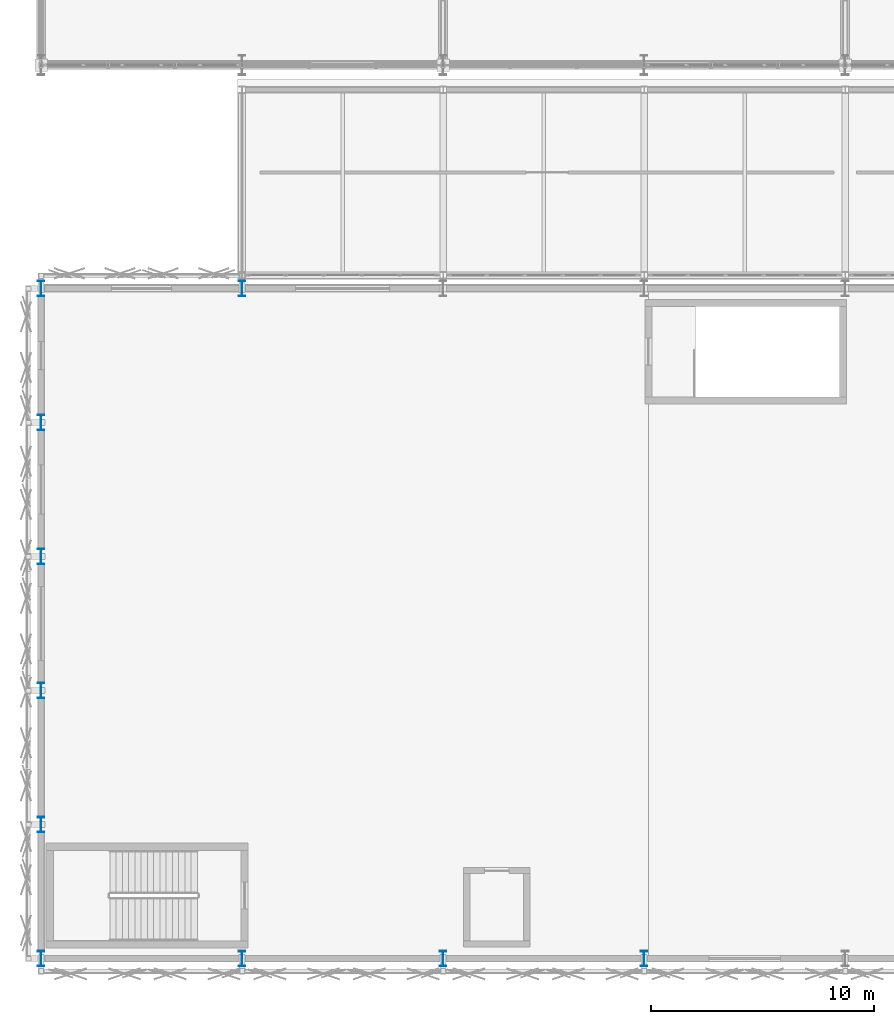
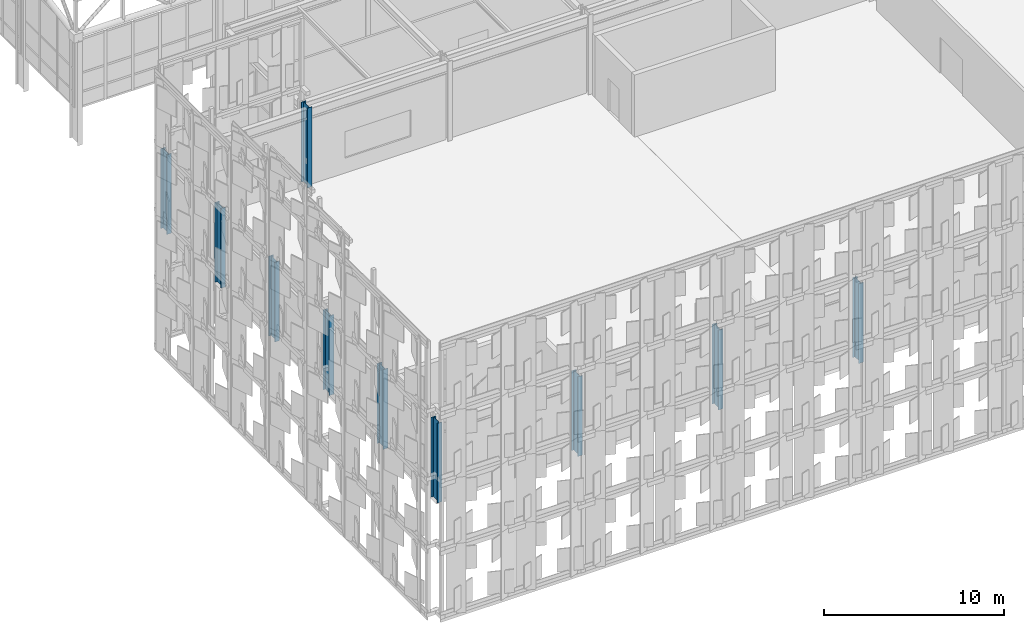
# One storey, part 1 of 239: 10 columns.
"""IFC4 building model written with IfcOpenShell, lengths in metres."""

import ifcopenshell
import ifcopenshell.guid

model = None  # the IFC model being written
_history = None  # IfcOwnerHistory: only IFC2X3 demands one
_inside = {}  # id of a spatial element -> (the spatial element, [elements in it])
_under = {}  # id of a project, library or spatial element -> (it, [spatial elements below it])
_declared = {}  # id of a project -> (the project, [libraries it declares])
_typed = {}  # id of a type object -> (the type object, [elements of that type])
_made_of = {}  # id of a material, layer set ... -> (it, [elements and type objects made of it])


def new_model(schema):
    """Start an empty IFC model of exactly this schema.

    Asked for "IFC4X3", IfcOpenShell would pick the latest addendum, in which some entities
    have other attributes; the version numbers below select the first issue.
    IFC2X3 requires an IfcOwnerHistory on every rooted entity: one is made here for all.
    """
    global model, _history
    if schema == "IFC4X3":
        model = ifcopenshell.file(schema_version=(4, 3, 0, 0))
    else:
        model = ifcopenshell.file(schema=schema)
    _inside.clear()
    _under.clear()
    _declared.clear()
    _typed.clear()
    _made_of.clear()
    _history = None
    if model.schema == "IFC2X3":
        org = make("IfcOrganization", Name="unknown")
        user = make(
            "IfcPersonAndOrganization",
            ThePerson=make("IfcPerson", FamilyName="unknown"),
            TheOrganization=org,
        )
        app = make(
            "IfcApplication",
            ApplicationDeveloper=org,
            Version="unknown",
            ApplicationFullName="unknown",
            ApplicationIdentifier="unknown",
        )
        _history = make(
            "IfcOwnerHistory",
            OwningUser=user,
            OwningApplication=app,
            ChangeAction="ADDED",
            CreationDate=0,
        )
    return model


def make(cls, **values):
    """One entity of the class cls with the attributes given. An attribute that is None is left unset."""
    return model.create_entity(
        cls, **{name: value for name, value in values.items() if value is not None}
    )


def rooted(cls, **values):
    """An entity with a GlobalId (a new one), such as an element, a storey or a relation."""
    return make(cls, GlobalId=ifcopenshell.guid.new(), OwnerHistory=_history, **values)


def si_unit(unit_type, name, prefix=None):
    """IfcSIUnit, for example si_unit("LENGTHUNIT", "METRE", prefix="MILLI")."""
    return make("IfcSIUnit", UnitType=unit_type, Prefix=prefix, Name=name)


def assignment(units):
    """IfcUnitAssignment: the units of a project."""
    return None if units is None else make("IfcUnitAssignment", Units=units)


def point(xyz):
    """IfcCartesianPoint."""
    return None if xyz is None else make("IfcCartesianPoint", Coordinates=xyz)


def direction(xyz):
    """IfcDirection."""
    return None if xyz is None else make("IfcDirection", DirectionRatios=xyz)


def frame(location, z_axis=None, x_axis=None):
    """IfcAxis2Placement3D, a coordinate frame: its origin and axes. An axis left out is left unset."""
    return make(
        "IfcAxis2Placement3D",
        Location=point(location),
        Axis=direction(z_axis),
        RefDirection=direction(x_axis),
    )


def frame_2d(location, x_axis=None):
    """IfcAxis2Placement2D, a coordinate frame in the plane: its origin and x axis."""
    return make(
        "IfcAxis2Placement2D", Location=point(location), RefDirection=direction(x_axis)
    )


def origin():
    """The frame at (0, 0, 0) with its axes left unset."""
    return frame((0.0, 0.0, 0.0))


def origin_2d():
    """The frame at (0, 0) in the plane with its x axis left unset."""
    return frame_2d((0.0, 0.0))


def place(relative_to, where):
    """IfcLocalPlacement: puts the frame where relative to a parent placement (None: the world)."""
    return make(
        "IfcLocalPlacement", PlacementRelTo=relative_to, RelativePlacement=where
    )


def context(
    kind, dimensions, precision=None, world=None, true_north=None, identifier=None
):
    """IfcGeometricRepresentationContext, for example the 3D "Model" context."""
    return make(
        "IfcGeometricRepresentationContext",
        ContextIdentifier=identifier,
        ContextType=kind,
        CoordinateSpaceDimension=dimensions,
        Precision=precision,
        WorldCoordinateSystem=world,
        TrueNorth=true_north,
    )


def subcontext(parent, identifier, kind, view, scale=None):
    """IfcGeometricRepresentationSubContext, for example "Body" below "Model"."""
    return make(
        "IfcGeometricRepresentationSubContext",
        ContextIdentifier=identifier,
        ContextType=kind,
        ParentContext=parent,
        TargetScale=scale,
        TargetView=view,
    )


def project(units=None, contexts=None):
    """IfcProject with its units and contexts."""
    return rooted(
        "IfcProject",
        Name="project",
        RepresentationContexts=contexts,
        UnitsInContext=assignment(units),
    )


def spatial(cls, under=None, at=None, **own):
    """A site, building, storey or space (cls), placed at a placement, below another one or the project."""
    s = rooted(cls, ObjectPlacement=at, **own)
    if under is not None:
        _under.setdefault(under.id(), (under, []))[1].append(s)
    return s


def profile(cls, at=None, kind="AREA", **sizes):
    """A parametric profile (cls). Its sizes go by their IFC names, for example OverallWidth=200.0."""
    return make(cls, ProfileType=kind, Position=at, **sizes)


def i_section(**sizes):
    """IfcIShapeProfileDef."""
    return profile("IfcIShapeProfileDef", **sizes)


def extrude(swept, where, along, depth):
    """IfcExtrudedAreaSolid: the profile swept, set in the frame where, extruded along a direction by depth."""
    return make(
        "IfcExtrudedAreaSolid",
        SweptArea=swept,
        Position=where,
        ExtrudedDirection=direction(along),
        Depth=depth,
    )


def shape(context_of_items, identifier, shape_type, items):
    """IfcShapeRepresentation: the items that make up one representation, for example the "Body"."""
    return make(
        "IfcShapeRepresentation",
        ContextOfItems=context_of_items,
        RepresentationIdentifier=identifier,
        RepresentationType=shape_type,
        Items=items,
    )


def material(Name=None, Category=None):
    """IfcMaterial."""
    return make("IfcMaterial", Name=Name, Category=Category)


def material_profile(
    of_material, cross_section, Name=None, Category=None, Priority=None
):
    """IfcMaterialProfile: a cross section and its material."""
    return make(
        "IfcMaterialProfile",
        Name=Name,
        Material=of_material,
        Profile=cross_section,
        Priority=Priority,
        Category=Category,
    )


def profile_set(profiles, Name=None, composite=None):
    """IfcMaterialProfileSet."""
    return make(
        "IfcMaterialProfileSet",
        Name=Name,
        MaterialProfiles=profiles,
        CompositeProfile=composite,
    )


def made_of(thing, what):
    """Note that an element or type object is made of a material, layer set ...; save() writes the relation."""
    if what is not None:
        _made_of.setdefault(what.id(), (what, []))[1].append(thing)
    return thing


def type_object(cls, material=None, **own):
    """A type object (cls), such as IfcWallType, which elements share."""
    return made_of(rooted(cls, **own), material)


def element(
    cls,
    number,
    at=None,
    inside=None,
    cuts=None,
    type_object=None,
    material=None,
    context=None,
    identifier="Body",
    shape_type=None,
    held_by="IfcProductDefinitionShape",
    body=None,
    shapes=None,
    **own,
):
    """One element of the class cls, such as IfcWall. Its Tag is "e" and its number.

    at: its placement. inside: the storey or other place that contains it. cuts: it is an
    opening in that element (IfcRelVoidsElement). A single representation is given by context,
    identifier, shape_type and body (its items); several are given by shapes. held_by: the class
    of the entity that holds the representations. save() writes the other relations.
    """
    e = rooted(cls, Tag="e%d" % number, ObjectPlacement=at, **own)
    if body is not None:
        shapes = [shape(context, identifier, shape_type, body)]
    if shapes is not None:
        e.Representation = make(held_by, Representations=shapes)
    if inside is not None:
        _inside.setdefault(inside.id(), (inside, []))[1].append(e)
    if cuts is not None:
        rooted(
            "IfcRelVoidsElement", RelatingBuildingElement=cuts, RelatedOpeningElement=e
        )
    if type_object is not None:
        _typed.setdefault(type_object.id(), (type_object, []))[1].append(e)
    return made_of(e, material)


def aggregate(whole, parts):
    """IfcRelAggregates: a whole, such as a stair, and the parts it consists of."""
    return rooted("IfcRelAggregates", RelatingObject=whole, RelatedObjects=parts)


def save(model, path):
    """Write the relations noted so far, then the file.

    IfcRelAggregates (storeys below a building ...), IfcRelContainedInSpatialStructure (elements
    in a storey), IfcRelDefinesByType, IfcRelAssociatesMaterial and IfcRelDeclares: one each for
    every whole, place, type object, material and project.
    """
    for whole, parts in _under.values():
        aggregate(whole, parts)
    for where, things in _inside.values():
        rooted(
            "IfcRelContainedInSpatialStructure",
            RelatedElements=things,
            RelatingStructure=where,
        )
    for kind, things in _typed.values():
        rooted("IfcRelDefinesByType", RelatedObjects=things, RelatingType=kind)
    for what, things in _made_of.values():
        rooted("IfcRelAssociatesMaterial", RelatedObjects=things, RelatingMaterial=what)
    for by, libraries in _declared.values():
        rooted("IfcRelDeclares", RelatingContext=by, RelatedDefinitions=libraries)
    model.write(path)


model = new_model("IFC4")

# Units and contexts
model_context = context("Model", 3, precision=1e-05, world=origin(), true_north=direction((0.0, 1.0)))
body_context = subcontext(model_context, "Body", "Model", "MODEL_VIEW")
ifc_project = project(units=[si_unit("LENGTHUNIT", "METRE"), si_unit("AREAUNIT", "SQUARE_METRE"), si_unit("VOLUMEUNIT", "CUBIC_METRE"), si_unit("PLANEANGLEUNIT", "RADIAN"), si_unit("MASSUNIT", "GRAM", prefix="KILO")], contexts=[model_context])

# Site, building, storey
site_placement = place(None, origin())
site = spatial("IfcSite", under=ifc_project, at=site_placement, CompositionType="ELEMENT")
building_placement = place(site_placement, origin())
building = spatial("IfcBuilding", under=site, at=building_placement, Name="Kaldris Quays Convention Centre", CompositionType="ELEMENT")
storey_placement = place(building_placement, frame((0.0, 0.0, 11.39990234375)))
storey = spatial("IfcBuildingStorey", under=building, at=storey_placement, Name="L02", CompositionType="ELEMENT", Elevation=11.39990234375)

# Columns
ifc_material = material(Name="Steel S355J2", Category="steel")
ifc_material_profile = material_profile(ifc_material, i_section(OverallWidth=0.300048828125, OverallDepth=0.699951171875, WebThickness=0.01708984375, FlangeThickness=0.031982421875, FilletRadius=0.027099609375, at=origin_2d()), Name="HEB 700")
ifc_profile_set = profile_set([ifc_material_profile], Name="Steel S355J2")
column_type = type_object("IfcColumnType", Name="STRUCTURAL COLUMN CL05", PredefinedType="COLUMN", material=ifc_profile_set)
for number, where, z_axis, x_axis, name in (
    (1, (20.0, 16.0, 0.0), (0.0, 0.0, 1.0), (1.0, 0.0, 0.0), "L02 V3 Column CL05 (20.00, 16.00)"),
    (2, (20.0, 22.0, 0.0), (0.0, 0.0, 1.0), (1.0, 0.0, 0.0), "L02 V3 Column CL05 (20.00, 22.00)"),
    (3, (20.0, 28.0, 0.0), (0.0, 0.0, 1.0), (1.0, 0.0, 0.0), "L02 V3 Column CL05 (20.00, 28.00)"),
    (4, (20.0, 34.0, 0.0), (0.0, 0.0, 1.0), (1.0, 0.0, 0.0), "L02 V3 Column CL05 (20.00, 34.00)"),
    (5, (20.0, 40.0, 0.0), (0.0, 0.0, 1.0), (1.0, 0.0, 0.0), "L02 V3 Column CL05 (20.00, 40.00)"),
    (6, (20.0, 46.0, 0.0), (0.0, 0.0, 1.0), (1.0, 0.0, 0.0), "L02 V3 Column CL05 (20.00, 46.00)"),
    (7, (29.0, 16.0, 0.0), (0.0, 0.0, 1.0), (1.0, 0.0, 0.0), "L02 V3 Column CL05 (29.00, 16.00)"),
    (8, (29.0, 46.0, 0.0), (0.0, 0.0, 1.0), (1.0, 0.0, 0.0), "L02 V3 Column CL05 (29.00, 46.00)"),
    (9, (38.0, 16.0, 0.0), (0.0, 0.0, 1.0), (1.0, 0.0, 0.0), "L02 V3 Column CL05 (38.00, 16.00)"),
    (10, (47.0, 16.0, 0.0), (0.0, 0.0, 1.0), (1.0, 0.0, 0.0), "L02 V3 Column CL05 (47.00, 16.00)"),
):
    element("IfcColumn", number, at=place(storey_placement, frame(where, z_axis=z_axis, x_axis=x_axis)), inside=storey, type_object=column_type, Name=name, PredefinedType="COLUMN", context=body_context, shape_type="SweptSolid", body=[
        extrude(i_section(OverallWidth=0.300048828125, OverallDepth=0.699951171875, WebThickness=0.01708984375, FlangeThickness=0.031982421875, FilletRadius=0.027099609375, at=origin_2d()), origin(), (0.0, 0.0, 1.0), 5.400146484375),
    ])

save(model, "model.ifc")
